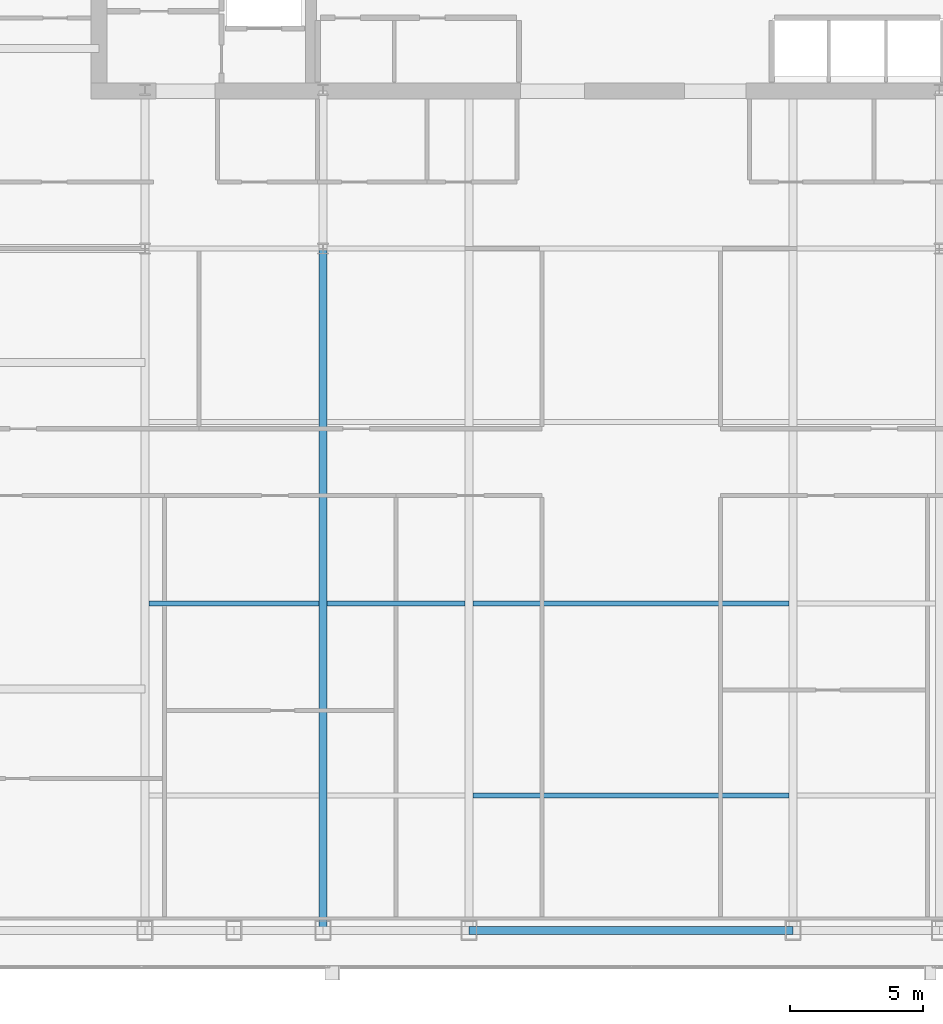
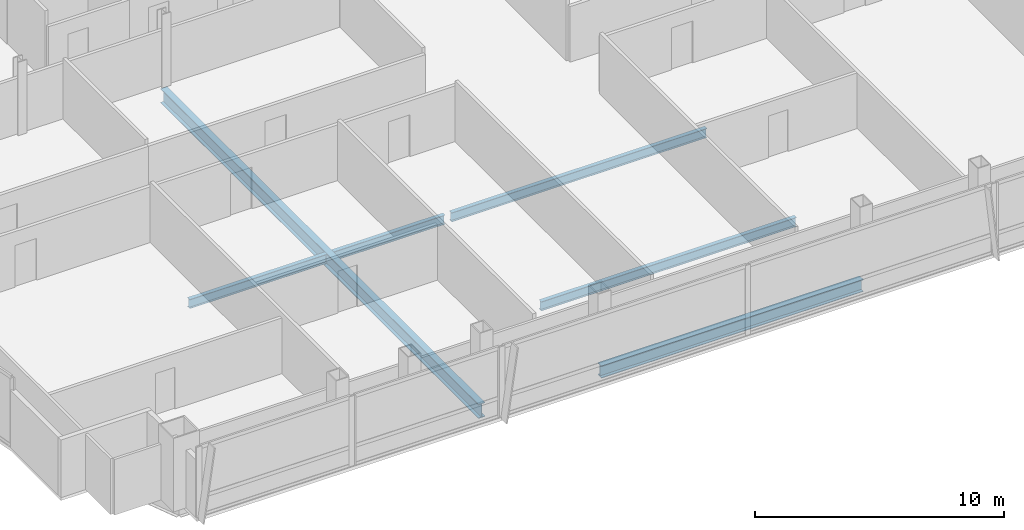
# One storey, part 9 of 30: 6 beams.
"""IFC4 building model written with IfcOpenShell, lengths in metres."""

import ifcopenshell
import ifcopenshell.guid

model = None  # the IFC model being written
_history = None  # IfcOwnerHistory: only IFC2X3 demands one
_inside = {}  # id of a spatial element -> (the spatial element, [elements in it])
_under = {}  # id of a project, library or spatial element -> (it, [spatial elements below it])
_declared = {}  # id of a project -> (the project, [libraries it declares])
_typed = {}  # id of a type object -> (the type object, [elements of that type])
_made_of = {}  # id of a material, layer set ... -> (it, [elements and type objects made of it])


def new_model(schema):
    """Start an empty IFC model of exactly this schema.

    Asked for "IFC4X3", IfcOpenShell would pick the latest addendum, in which some entities
    have other attributes; the version numbers below select the first issue.
    IFC2X3 requires an IfcOwnerHistory on every rooted entity: one is made here for all.
    """
    global model, _history
    if schema == "IFC4X3":
        model = ifcopenshell.file(schema_version=(4, 3, 0, 0))
    else:
        model = ifcopenshell.file(schema=schema)
    _inside.clear()
    _under.clear()
    _declared.clear()
    _typed.clear()
    _made_of.clear()
    _history = None
    if model.schema == "IFC2X3":
        org = make("IfcOrganization", Name="unknown")
        user = make(
            "IfcPersonAndOrganization",
            ThePerson=make("IfcPerson", FamilyName="unknown"),
            TheOrganization=org,
        )
        app = make(
            "IfcApplication",
            ApplicationDeveloper=org,
            Version="unknown",
            ApplicationFullName="unknown",
            ApplicationIdentifier="unknown",
        )
        _history = make(
            "IfcOwnerHistory",
            OwningUser=user,
            OwningApplication=app,
            ChangeAction="ADDED",
            CreationDate=0,
        )
    return model


def make(cls, **values):
    """One entity of the class cls with the attributes given. An attribute that is None is left unset."""
    return model.create_entity(
        cls, **{name: value for name, value in values.items() if value is not None}
    )


def rooted(cls, **values):
    """An entity with a GlobalId (a new one), such as an element, a storey or a relation."""
    return make(cls, GlobalId=ifcopenshell.guid.new(), OwnerHistory=_history, **values)


def si_unit(unit_type, name, prefix=None):
    """IfcSIUnit, for example si_unit("LENGTHUNIT", "METRE", prefix="MILLI")."""
    return make("IfcSIUnit", UnitType=unit_type, Prefix=prefix, Name=name)


def assignment(units):
    """IfcUnitAssignment: the units of a project."""
    return None if units is None else make("IfcUnitAssignment", Units=units)


def point(xyz):
    """IfcCartesianPoint."""
    return None if xyz is None else make("IfcCartesianPoint", Coordinates=xyz)


def direction(xyz):
    """IfcDirection."""
    return None if xyz is None else make("IfcDirection", DirectionRatios=xyz)


def frame(location, z_axis=None, x_axis=None):
    """IfcAxis2Placement3D, a coordinate frame: its origin and axes. An axis left out is left unset."""
    return make(
        "IfcAxis2Placement3D",
        Location=point(location),
        Axis=direction(z_axis),
        RefDirection=direction(x_axis),
    )


def frame_2d(location, x_axis=None):
    """IfcAxis2Placement2D, a coordinate frame in the plane: its origin and x axis."""
    return make(
        "IfcAxis2Placement2D", Location=point(location), RefDirection=direction(x_axis)
    )


def origin():
    """The frame at (0, 0, 0) with its axes left unset."""
    return frame((0.0, 0.0, 0.0))


def origin_2d():
    """The frame at (0, 0) in the plane with its x axis left unset."""
    return frame_2d((0.0, 0.0))


def place(relative_to, where):
    """IfcLocalPlacement: puts the frame where relative to a parent placement (None: the world)."""
    return make(
        "IfcLocalPlacement", PlacementRelTo=relative_to, RelativePlacement=where
    )


def context(
    kind, dimensions, precision=None, world=None, true_north=None, identifier=None
):
    """IfcGeometricRepresentationContext, for example the 3D "Model" context."""
    return make(
        "IfcGeometricRepresentationContext",
        ContextIdentifier=identifier,
        ContextType=kind,
        CoordinateSpaceDimension=dimensions,
        Precision=precision,
        WorldCoordinateSystem=world,
        TrueNorth=true_north,
    )


def subcontext(parent, identifier, kind, view, scale=None):
    """IfcGeometricRepresentationSubContext, for example "Body" below "Model"."""
    return make(
        "IfcGeometricRepresentationSubContext",
        ContextIdentifier=identifier,
        ContextType=kind,
        ParentContext=parent,
        TargetScale=scale,
        TargetView=view,
    )


def project(units=None, contexts=None):
    """IfcProject with its units and contexts."""
    return rooted(
        "IfcProject",
        Name="project",
        RepresentationContexts=contexts,
        UnitsInContext=assignment(units),
    )


def spatial(cls, under=None, at=None, **own):
    """A site, building, storey or space (cls), placed at a placement, below another one or the project."""
    s = rooted(cls, ObjectPlacement=at, **own)
    if under is not None:
        _under.setdefault(under.id(), (under, []))[1].append(s)
    return s


def profile(cls, at=None, kind="AREA", **sizes):
    """A parametric profile (cls). Its sizes go by their IFC names, for example OverallWidth=200.0."""
    return make(cls, ProfileType=kind, Position=at, **sizes)


def i_section(**sizes):
    """IfcIShapeProfileDef."""
    return profile("IfcIShapeProfileDef", **sizes)


def extrude(swept, where, along, depth):
    """IfcExtrudedAreaSolid: the profile swept, set in the frame where, extruded along a direction by depth."""
    return make(
        "IfcExtrudedAreaSolid",
        SweptArea=swept,
        Position=where,
        ExtrudedDirection=direction(along),
        Depth=depth,
    )


def shape(context_of_items, identifier, shape_type, items):
    """IfcShapeRepresentation: the items that make up one representation, for example the "Body"."""
    return make(
        "IfcShapeRepresentation",
        ContextOfItems=context_of_items,
        RepresentationIdentifier=identifier,
        RepresentationType=shape_type,
        Items=items,
    )


def material(Name=None, Category=None):
    """IfcMaterial."""
    return make("IfcMaterial", Name=Name, Category=Category)


def material_profile(
    of_material, cross_section, Name=None, Category=None, Priority=None
):
    """IfcMaterialProfile: a cross section and its material."""
    return make(
        "IfcMaterialProfile",
        Name=Name,
        Material=of_material,
        Profile=cross_section,
        Priority=Priority,
        Category=Category,
    )


def profile_set(profiles, Name=None, composite=None):
    """IfcMaterialProfileSet."""
    return make(
        "IfcMaterialProfileSet",
        Name=Name,
        MaterialProfiles=profiles,
        CompositeProfile=composite,
    )


def made_of(thing, what):
    """Note that an element or type object is made of a material, layer set ...; save() writes the relation."""
    if what is not None:
        _made_of.setdefault(what.id(), (what, []))[1].append(thing)
    return thing


def type_object(cls, material=None, **own):
    """A type object (cls), such as IfcWallType, which elements share."""
    return made_of(rooted(cls, **own), material)


def element(
    cls,
    number,
    at=None,
    inside=None,
    cuts=None,
    type_object=None,
    material=None,
    context=None,
    identifier="Body",
    shape_type=None,
    held_by="IfcProductDefinitionShape",
    body=None,
    shapes=None,
    **own,
):
    """One element of the class cls, such as IfcWall. Its Tag is "e" and its number.

    at: its placement. inside: the storey or other place that contains it. cuts: it is an
    opening in that element (IfcRelVoidsElement). A single representation is given by context,
    identifier, shape_type and body (its items); several are given by shapes. held_by: the class
    of the entity that holds the representations. save() writes the other relations.
    """
    e = rooted(cls, Tag="e%d" % number, ObjectPlacement=at, **own)
    if body is not None:
        shapes = [shape(context, identifier, shape_type, body)]
    if shapes is not None:
        e.Representation = make(held_by, Representations=shapes)
    if inside is not None:
        _inside.setdefault(inside.id(), (inside, []))[1].append(e)
    if cuts is not None:
        rooted(
            "IfcRelVoidsElement", RelatingBuildingElement=cuts, RelatedOpeningElement=e
        )
    if type_object is not None:
        _typed.setdefault(type_object.id(), (type_object, []))[1].append(e)
    return made_of(e, material)


def aggregate(whole, parts):
    """IfcRelAggregates: a whole, such as a stair, and the parts it consists of."""
    return rooted("IfcRelAggregates", RelatingObject=whole, RelatedObjects=parts)


def save(model, path):
    """Write the relations noted so far, then the file.

    IfcRelAggregates (storeys below a building ...), IfcRelContainedInSpatialStructure (elements
    in a storey), IfcRelDefinesByType, IfcRelAssociatesMaterial and IfcRelDeclares: one each for
    every whole, place, type object, material and project.
    """
    for whole, parts in _under.values():
        aggregate(whole, parts)
    for where, things in _inside.values():
        rooted(
            "IfcRelContainedInSpatialStructure",
            RelatedElements=things,
            RelatingStructure=where,
        )
    for kind, things in _typed.values():
        rooted("IfcRelDefinesByType", RelatedObjects=things, RelatingType=kind)
    for what, things in _made_of.values():
        rooted("IfcRelAssociatesMaterial", RelatedObjects=things, RelatingMaterial=what)
    for by, libraries in _declared.values():
        rooted("IfcRelDeclares", RelatingContext=by, RelatedDefinitions=libraries)
    model.write(path)


model = new_model("IFC4")

# Units and contexts
model_context = context("Model", 3, precision=1e-05, world=origin(), true_north=direction((0.0, 1.0)))
body_context = subcontext(model_context, "Body", "Model", "MODEL_VIEW")
ifc_project = project(units=[si_unit("LENGTHUNIT", "METRE"), si_unit("AREAUNIT", "SQUARE_METRE"), si_unit("VOLUMEUNIT", "CUBIC_METRE"), si_unit("PLANEANGLEUNIT", "RADIAN"), si_unit("MASSUNIT", "GRAM", prefix="KILO")], contexts=[model_context])

# Site, building, storey
site_placement = place(None, origin())
site = spatial("IfcSite", under=ifc_project, at=site_placement, CompositionType="ELEMENT")
building_placement = place(site_placement, origin())
building = spatial("IfcBuilding", under=site, at=building_placement, Name="Khoronbel Lancet Exchange", CompositionType="ELEMENT")
storey_placement = place(building_placement, frame((0.0, 0.0, 203.0)))
storey = spatial("IfcBuildingStorey", under=building, at=storey_placement, Name="L51", CompositionType="ELEMENT", Elevation=203.0)

# Beams
ifc_material = material(Name="Steel S355", Category="steel")
ifc_material_profile_1 = material_profile(ifc_material, i_section(OverallWidth=0.300048828125, OverallDepth=0.699951171875, WebThickness=0.01708984375, FlangeThickness=0.031982421875, at=origin_2d()), Name="HEB 700")
ifc_profile_set_1 = profile_set([ifc_material_profile_1], Name="Steel S355")
beam_type_1 = type_object("IfcBeamType", Name="BM-BG3", PredefinedType="BEAM", material=ifc_profile_set_1)
beam_1_placement = place(storey_placement, frame((24.89990234375, 10.14990234375, -0.510009765625), z_axis=(0.0, 1.0, 0.0), x_axis=(-1.0, 0.0, 0.0)))
element("IfcBeam", 1, at=beam_1_placement, inside=storey, type_object=beam_type_1, Name="Level L51 south primary girder GS2", PredefinedType="BEAM", context=body_context, shape_type="SweptSolid", body=[
    extrude(i_section(OverallWidth=0.300048828125, OverallDepth=0.699951171875, WebThickness=0.01708984375, FlangeThickness=0.031982421875, at=origin_2d()), origin(), (0.0, 0.0, 1.0), 25.550048828125),
])
ifc_material_profile_2 = material_profile(ifc_material, i_section(OverallWidth=0.18994140625, OverallDepth=0.449951171875, WebThickness=0.009521484375, FlangeThickness=0.0146484375, at=origin_2d()), Name="IPE 450")
ifc_profile_set_2 = profile_set([ifc_material_profile_2], Name="Steel S355")
beam_type_2 = type_object("IfcBeamType", Name="BM-BJ4", PredefinedType="JOIST", material=ifc_profile_set_2)
beam_2_placement = place(storey_placement, frame((30.52490234375, 15.199951171875, -0.385009765625), z_axis=(1.0, 0.0, 0.0), x_axis=(0.0, 1.0, 0.0)))
element("IfcBeam", 2, at=beam_2_placement, inside=storey, type_object=beam_type_2, Name="Level L51 secondary composite joist J03", PredefinedType="JOIST", context=body_context, shape_type="SweptSolid", body=[
    extrude(i_section(OverallWidth=0.18994140625, OverallDepth=0.449951171875, WebThickness=0.009521484375, FlangeThickness=0.0146484375, at=origin_2d()), origin(), (0.0, 0.0, 1.0), 11.85009765625),
])
beam_3_placement = place(storey_placement, frame((18.375, 22.39990234375, -0.385009765625), z_axis=(1.0, 0.0, 0.0), x_axis=(0.0, 1.0, 0.0)))
element("IfcBeam", 3, at=beam_3_placement, inside=storey, type_object=beam_type_2, Name="Level L51 secondary composite joist J06", PredefinedType="JOIST", context=body_context, shape_type="SweptSolid", body=[
    extrude(i_section(OverallWidth=0.18994140625, OverallDepth=0.449951171875, WebThickness=0.009521484375, FlangeThickness=0.0146484375, at=origin_2d()), origin(), (0.0, 0.0, 1.0), 6.375),
])
beam_4_placement = place(storey_placement, frame((25.050048828125, 22.39990234375, -0.385009765625), z_axis=(1.0, 0.0, 0.0), x_axis=(0.0, 1.0, 0.0)))
element("IfcBeam", 4, at=beam_4_placement, inside=storey, type_object=beam_type_2, Name="Level L51 secondary composite joist J07", PredefinedType="JOIST", context=body_context, shape_type="SweptSolid", body=[
    extrude(i_section(OverallWidth=0.18994140625, OverallDepth=0.449951171875, WebThickness=0.009521484375, FlangeThickness=0.0146484375, at=origin_2d()), origin(), (0.0, 0.0, 1.0), 5.175048828125),
])
beam_5_placement = place(storey_placement, frame((30.52490234375, 22.39990234375, -0.385009765625), z_axis=(1.0, 0.0, 0.0), x_axis=(0.0, 1.0, 0.0)))
element("IfcBeam", 5, at=beam_5_placement, inside=storey, type_object=beam_type_2, Name="Level L51 secondary composite joist J08", PredefinedType="JOIST", context=body_context, shape_type="SweptSolid", body=[
    extrude(i_section(OverallWidth=0.18994140625, OverallDepth=0.449951171875, WebThickness=0.009521484375, FlangeThickness=0.0146484375, at=origin_2d()), origin(), (0.0, 0.0, 1.0), 11.85009765625),
])
ifc_material_profile_3 = material_profile(ifc_material, i_section(OverallWidth=0.300048828125, OverallDepth=0.60009765625, WebThickness=0.015380859375, FlangeThickness=0.030029296875, at=origin_2d()), Name="HEB 600")
ifc_profile_set_3 = profile_set([ifc_material_profile_3], Name="Steel S355")
beam_type_3 = type_object("IfcBeamType", Name="BM-BSP2", PredefinedType="SPANDREL", material=ifc_profile_set_3)
beam_6_placement = place(storey_placement, frame((30.375, 10.14990234375, -0.4599609375), z_axis=(1.0, 0.0, 0.0), x_axis=(0.0, 1.0, 0.0)))
element("IfcBeam", 6, at=beam_6_placement, inside=storey, type_object=beam_type_3, Name="Level L51 perimeter spandrel beam SP05", PredefinedType="SPANDREL", context=body_context, shape_type="SweptSolid", body=[
    extrude(i_section(OverallWidth=0.300048828125, OverallDepth=0.60009765625, WebThickness=0.015380859375, FlangeThickness=0.030029296875, at=origin_2d()), origin(), (0.0, 0.0, 1.0), 12.14990234375),
])

save(model, "model.ifc")
